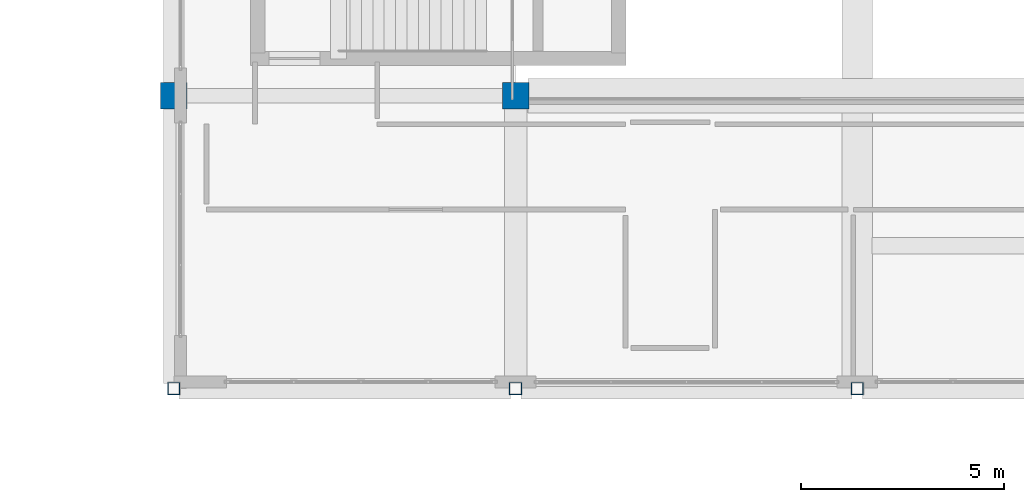
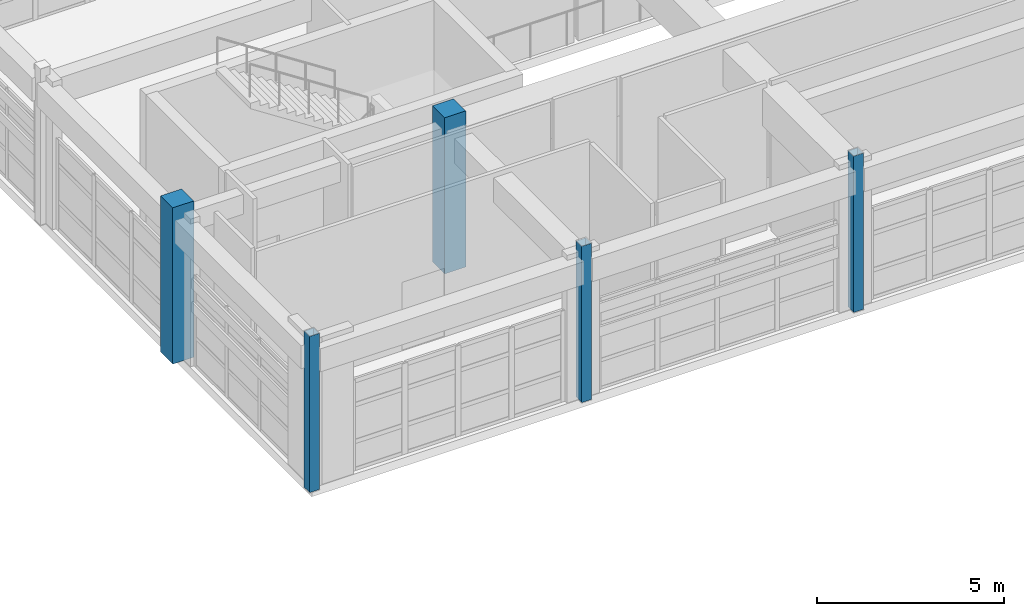
# One storey, part 9 of 103: 5 columns.
"""IFC4 building model written with IfcOpenShell, lengths in metres."""

from ifc_helpers import new_model, si_unit, direction, frame, origin, origin_2d, place, context, subcontext, project, spatial, rectangle, hollow_rectangle, extrude, material, material_profile, profile_set, type_object, element, save


model = new_model("IFC4")

# Units and contexts
model_context = context("Model", 3, precision=1e-05, world=origin(), true_north=direction((0.0, 1.0)))
body_context = subcontext(model_context, "Body", "Model", "MODEL_VIEW")
ifc_project = project(units=[si_unit("LENGTHUNIT", "METRE"), si_unit("AREAUNIT", "SQUARE_METRE"), si_unit("VOLUMEUNIT", "CUBIC_METRE"), si_unit("PLANEANGLEUNIT", "RADIAN"), si_unit("MASSUNIT", "GRAM", prefix="KILO")], contexts=[model_context])

# Site, building, storey
site_placement = place(None, origin())
site = spatial("IfcSite", under=ifc_project, at=site_placement, CompositionType="ELEMENT")
building_placement = place(site_placement, origin())
building = spatial("IfcBuilding", under=site, at=building_placement, Name="Quendrovan Civic Courthouse", CompositionType="ELEMENT")
storey_placement = place(building_placement, frame((0.0, 0.0, 15.300048828125)))
storey = spatial("IfcBuildingStorey", under=building, at=storey_placement, Name="L04", CompositionType="ELEMENT", Elevation=15.300048828125)

# Columns
ifc_material_1 = material(Name="Concrete C45/55", Category="concrete")
ifc_material_profile_1 = material_profile(ifc_material_1, rectangle(XDim=0.64990234375, YDim=0.64990234375, at=origin_2d()), Name="RC-COL-650x650")
ifc_profile_set_1 = profile_set([ifc_material_profile_1], Name="Concrete C45/55")
column_type_1 = type_object("IfcColumnType", Name="COL-RC650", PredefinedType="COLUMN", material=ifc_profile_set_1)
for number, where, z_axis, x_axis, name in (
    (1, (109.199951171875, 94.800048828125, 0.0), (0.0, 0.0, 1.0), (1.0, 0.0, 0.0), "L04 Column 14-N"),
    (2, (117.60009765625, 94.800048828125, 0.0), (0.0, 0.0, 1.0), (1.0, 0.0, 0.0), "L04 Column 15-N"),
):
    element("IfcColumn", number, at=place(storey_placement, frame(where, z_axis=z_axis, x_axis=x_axis)), inside=storey, type_object=column_type_1, Name=name, PredefinedType="COLUMN", context=body_context, shape_type="SweptSolid", body=[
        extrude(rectangle(XDim=0.64990234375, YDim=0.64990234375, at=origin_2d()), origin(), (0.0, 0.0, 1.0), 5.099853515625),
    ])
ifc_material_2 = material(Name="Steel ASTM A500 Grade C", Category="steel")
ifc_material_profile_2 = material_profile(ifc_material_2, hollow_rectangle(XDim=0.300048828125, YDim=0.300048828125, WallThickness=0.011962890625, at=origin_2d()), Name="HSS300x300x12")
ifc_profile_set_2 = profile_set([ifc_material_profile_2], Name="Steel ASTM A500 Grade C")
column_type_2 = type_object("IfcColumnType", Name="COL-STL-HSS300S", PredefinedType="COLUMN", material=ifc_profile_set_2)
for number, where, z_axis, x_axis, name in (
    (3, (109.199951171875, 87.60009765625, 0.0), (0.0, 0.0, 1.0), (1.0, 0.0, 0.0), "L04 Column 14-M"),
    (4, (117.60009765625, 87.60009765625, 0.0), (0.0, 0.0, 1.0), (1.0, 0.0, 0.0), "L04 Column 15-M"),
    (5, (126.0, 87.60009765625, 0.0), (0.0, 0.0, 1.0), (1.0, 0.0, 0.0), "L04 Column 16-M"),
):
    element("IfcColumn", number, at=place(storey_placement, frame(where, z_axis=z_axis, x_axis=x_axis)), inside=storey, type_object=column_type_2, Name=name, PredefinedType="COLUMN", context=body_context, shape_type="SweptSolid", body=[
        extrude(hollow_rectangle(XDim=0.300048828125, YDim=0.300048828125, WallThickness=0.011962890625, at=origin_2d()), origin(), (0.0, 0.0, 1.0), 5.099853515625),
    ])

save(model, "model.ifc")
